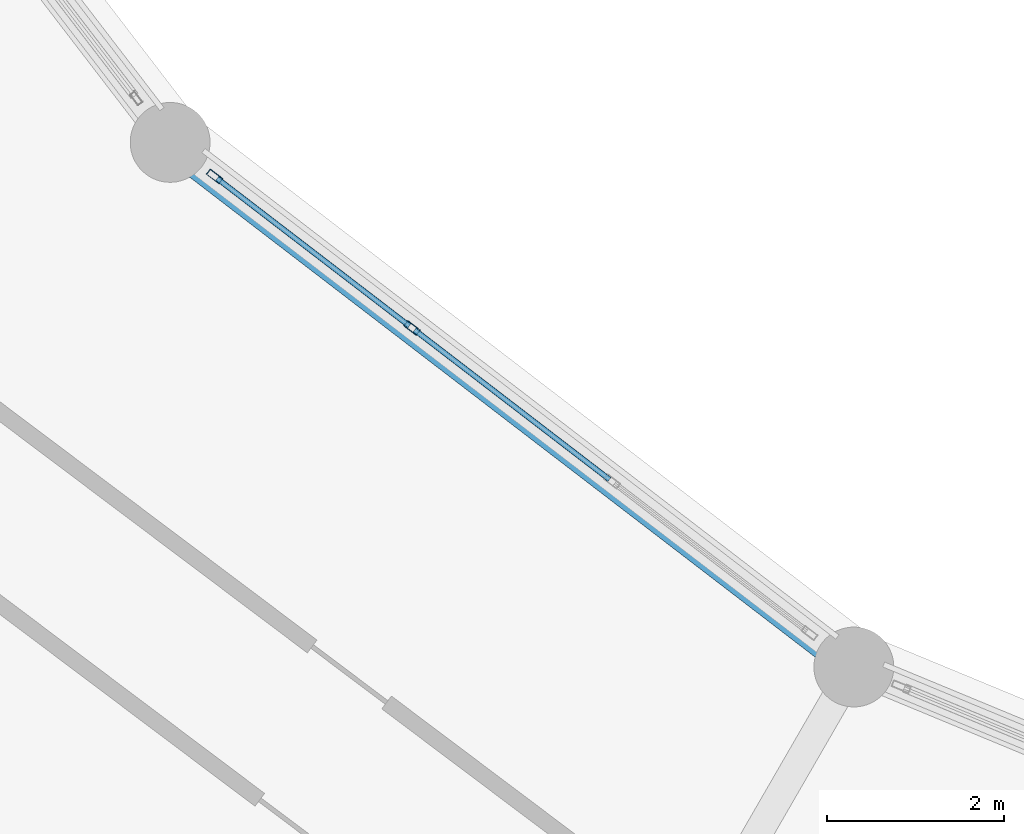
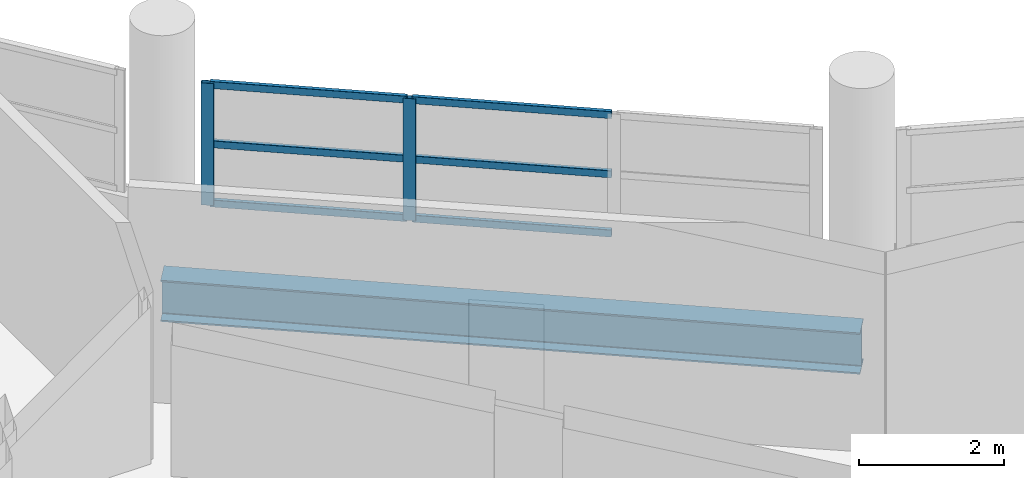
# One storey, part 33 of 108: 8 members, 1 beam, 1 element without a shape of its own.
"""IFC4 building model written with IfcOpenShell, lengths in metres."""

from ifc_helpers import new_model, si_unit, direction, frame, origin, origin_2d, place, context, subcontext, project, spatial, hollow_rectangle, i_section, extrude, material, layer, layer_set, material_profile, profile_set, type_object, element, aggregate, save


model = new_model("IFC4")

# Units and contexts
model_context = context("Model", 3, precision=1e-05, world=origin(), true_north=direction((0.0, 1.0)))
body_context = subcontext(model_context, "Body", "Model", "MODEL_VIEW")
ifc_project = project(units=[si_unit("LENGTHUNIT", "METRE"), si_unit("AREAUNIT", "SQUARE_METRE"), si_unit("VOLUMEUNIT", "CUBIC_METRE"), si_unit("PLANEANGLEUNIT", "RADIAN"), si_unit("MASSUNIT", "GRAM", prefix="KILO")], contexts=[model_context])

# Site, building, storey
site_placement = place(None, origin())
site = spatial("IfcSite", under=ifc_project, at=site_placement, CompositionType="ELEMENT")
building_placement = place(site_placement, origin())
building = spatial("IfcBuilding", under=site, at=building_placement, Name="Vespera Passage Community Centre", CompositionType="ELEMENT")
storey_placement = place(building_placement, frame((0.0, 0.0, 12.60009765625)))
storey = spatial("IfcBuildingStorey", under=building, at=storey_placement, Name="L03", CompositionType="ELEMENT", Elevation=12.60009765625)

# Beam
ifc_material_1 = material(Name="Steel ASTM A992 Grade 50", Category="steel")
ifc_material_profile_1 = material_profile(ifc_material_1, i_section(OverallWidth=0.3544921875, OverallDepth=0.695556640625, WebThickness=0.015380859375, FlangeThickness=0.024658203125, FilletRadius=0.01513671875, at=origin_2d()), Name="W27X146")
ifc_profile_set_1 = profile_set([ifc_material_profile_1], Name="Steel ASTM A992 Grade 50")
beam_type = type_object("IfcBeamType", Name="BM-SP-W27X146E", PredefinedType="SPANDREL", material=ifc_profile_set_1)
beam_placement = place(storey_placement, frame((51.695556640625, 39.195556640625, -0.747802734375), z_axis=(0.793359869694, -0.60875291963, 0.0), x_axis=(0.60875291963, 0.793359869694, 0.0)))
element("IfcBeam", 1, at=beam_placement, inside=storey, type_object=beam_type, Name="V4 L03 Inner Spandrel 15", PredefinedType="SPANDREL", context=body_context, shape_type="SweptSolid", body=[
    extrude(i_section(OverallWidth=0.3544921875, OverallDepth=0.695556640625, WebThickness=0.015380859375, FlangeThickness=0.024658203125, FilletRadius=0.01513671875, at=origin_2d()), origin(), (0.0, 0.0, 1.0), 9.7109375),
])

# Curtain wall, members
ifc_material_2 = material(Name="Anodized aluminium 6063-T6", Category="aluminium")
ifc_layer = layer(ifc_material_2, 0.159912109375)
ifc_layer_set = layer_set([ifc_layer], Name="Anodized aluminium 6063-T6")
curtain_wall_type = type_object("IfcCurtainWallType", Name="CW-38E", PredefinedType="NOTDEFINED", material=ifc_layer_set)
curtain_wall_placement = place(storey_placement, origin())
curtain_wall = element("IfcCurtainWall", 2, at=curtain_wall_placement, inside=storey, type_object=curtain_wall_type, Name="V4 L03 Inner Court Curtain Wall 15", PredefinedType="NOTDEFINED")
ifc_material_3 = material(Name="Anodized aluminium 6063-T6", Category="aluminium")
ifc_material_profile_2 = material_profile(ifc_material_3, hollow_rectangle(XDim=0.074951171875, YDim=0.179931640625, WallThickness=0.0048828125, InnerFilletRadius=0.00244140625, OuterFilletRadius=0.0048828125, at=origin_2d()), Name="ALU180X75X5")
ifc_profile_set_2 = profile_set([ifc_material_profile_2], Name="Anodized aluminium 6063-T6")
member_type_1 = type_object("IfcMemberType", Name="MB-CWM-180E", PredefinedType="MULLION", material=ifc_profile_set_2)
member_1_placement = place(storey_placement, frame((52.196044921875, 38.811767578125, 0.81982421875), z_axis=(0.0, 0.0, 1.0), x_axis=(0.608755087843, 0.793358205999, 0.0)))
member_1 = element("IfcMember", 3, at=member_1_placement, type_object=member_type_1, Name="CW-38E mullion 1", PredefinedType="MULLION", context=body_context, shape_type="SweptSolid", body=[
    extrude(hollow_rectangle(XDim=0.074951171875, YDim=0.179931640625, WallThickness=0.0048828125, InnerFilletRadius=0.00244140625, OuterFilletRadius=0.0048828125, at=origin_2d()), origin(), (0.0, 0.0, 1.0), 2.049560546875),
])
member_2_placement = place(storey_placement, frame((54.420654296875, 37.104736328125, 0.81982421875), z_axis=(0.0, 0.0, 1.0), x_axis=(0.608755087843, 0.793358205999, 0.0)))
member_2 = element("IfcMember", 4, at=member_2_placement, type_object=member_type_1, Name="CW-38E mullion 2", PredefinedType="MULLION", context=body_context, shape_type="SweptSolid", body=[
    extrude(hollow_rectangle(XDim=0.074951171875, YDim=0.179931640625, WallThickness=0.0048828125, InnerFilletRadius=0.00244140625, OuterFilletRadius=0.0048828125, at=origin_2d()), origin(), (0.0, 0.0, 1.0), 2.049560546875),
])
ifc_material_4 = material(Name="Anodized aluminium 6063-T6", Category="aluminium")
ifc_material_profile_3 = material_profile(ifc_material_4, hollow_rectangle(XDim=0.06005859375, YDim=0.1201171875, WallThickness=0.00390625, InnerFilletRadius=0.001953125, OuterFilletRadius=0.00390625, at=origin_2d()), Name="ALU120X60X4")
ifc_profile_set_3 = profile_set([ifc_material_profile_3], Name="Anodized aluminium 6063-T6")
member_type_2 = type_object("IfcMemberType", Name="MB-CWT-120E", PredefinedType="USERDEFINED", material=ifc_profile_set_3)
member_3_placement = place(storey_placement, frame((52.2255859375, 38.788818359375, 0.849853515625), z_axis=(0.793371617318, -0.608737609183, 0.0), x_axis=(0.608737609183, 0.793371617318, 0.0)))
member_3 = element("IfcMember", 5, at=member_3_placement, type_object=member_type_2, Name="CW-38E transom 1.1", ObjectType="TRANSOM", PredefinedType="USERDEFINED", context=body_context, shape_type="SweptSolid", body=[
    extrude(hollow_rectangle(XDim=0.06005859375, YDim=0.1201171875, WallThickness=0.00390625, InnerFilletRadius=0.001953125, OuterFilletRadius=0.00390625, at=origin_2d()), origin(), (0.0, 0.0, 1.0), 2.729248046875),
])
member_4_placement = place(storey_placement, frame((52.2255859375, 38.788818359375, 1.844482421875), z_axis=(0.793371617318, -0.608737609183, 0.0), x_axis=(0.608737609183, 0.793371617318, 0.0)))
member_4 = element("IfcMember", 6, at=member_4_placement, type_object=member_type_2, Name="CW-38E transom 1.2", ObjectType="TRANSOM", PredefinedType="USERDEFINED", context=body_context, shape_type="SweptSolid", body=[
    extrude(hollow_rectangle(XDim=0.06005859375, YDim=0.1201171875, WallThickness=0.00390625, InnerFilletRadius=0.001953125, OuterFilletRadius=0.00390625, at=origin_2d()), origin(), (0.0, 0.0, 1.0), 2.729248046875),
])
member_5_placement = place(storey_placement, frame((52.2255859375, 38.788818359375, 2.83935546875), z_axis=(0.793371617318, -0.608737609183, 0.0), x_axis=(0.608737609183, 0.793371617318, 0.0)))
member_5 = element("IfcMember", 7, at=member_5_placement, type_object=member_type_2, Name="CW-38E transom 1.3", ObjectType="TRANSOM", PredefinedType="USERDEFINED", context=body_context, shape_type="SweptSolid", body=[
    extrude(hollow_rectangle(XDim=0.06005859375, YDim=0.1201171875, WallThickness=0.00390625, InnerFilletRadius=0.001953125, OuterFilletRadius=0.00390625, at=origin_2d()), origin(), (0.0, 0.0, 1.0), 2.729248046875),
])
member_6_placement = place(storey_placement, frame((54.450439453125, 37.081787109375, 0.849853515625), z_axis=(0.793364831796, -0.608746452695, 0.0), x_axis=(0.608746452695, 0.793364831796, 0.0)))
member_6 = element("IfcMember", 8, at=member_6_placement, type_object=member_type_2, Name="CW-38E transom 2.1", ObjectType="TRANSOM", PredefinedType="USERDEFINED", context=body_context, shape_type="SweptSolid", body=[
    extrude(hollow_rectangle(XDim=0.06005859375, YDim=0.1201171875, WallThickness=0.00390625, InnerFilletRadius=0.001953125, OuterFilletRadius=0.00390625, at=origin_2d()), origin(), (0.0, 0.0, 1.0), 2.766357421875),
])
member_7_placement = place(storey_placement, frame((54.450439453125, 37.081787109375, 1.844482421875), z_axis=(0.793364831796, -0.608746452695, 0.0), x_axis=(0.608746452695, 0.793364831796, 0.0)))
member_7 = element("IfcMember", 9, at=member_7_placement, type_object=member_type_2, Name="CW-38E transom 2.2", ObjectType="TRANSOM", PredefinedType="USERDEFINED", context=body_context, shape_type="SweptSolid", body=[
    extrude(hollow_rectangle(XDim=0.06005859375, YDim=0.1201171875, WallThickness=0.00390625, InnerFilletRadius=0.001953125, OuterFilletRadius=0.00390625, at=origin_2d()), origin(), (0.0, 0.0, 1.0), 2.766357421875),
])
member_8_placement = place(storey_placement, frame((54.450439453125, 37.081787109375, 2.83935546875), z_axis=(0.793364831796, -0.608746452695, 0.0), x_axis=(0.608746452695, 0.793364831796, 0.0)))
member_8 = element("IfcMember", 10, at=member_8_placement, type_object=member_type_2, Name="CW-38E transom 2.3", ObjectType="TRANSOM", PredefinedType="USERDEFINED", context=body_context, shape_type="SweptSolid", body=[
    extrude(hollow_rectangle(XDim=0.06005859375, YDim=0.1201171875, WallThickness=0.00390625, InnerFilletRadius=0.001953125, OuterFilletRadius=0.00390625, at=origin_2d()), origin(), (0.0, 0.0, 1.0), 2.766357421875),
])
aggregate(curtain_wall, [member_1, member_2, member_3, member_4, member_5, member_6, member_7, member_8])

save(model, "model.ifc")
